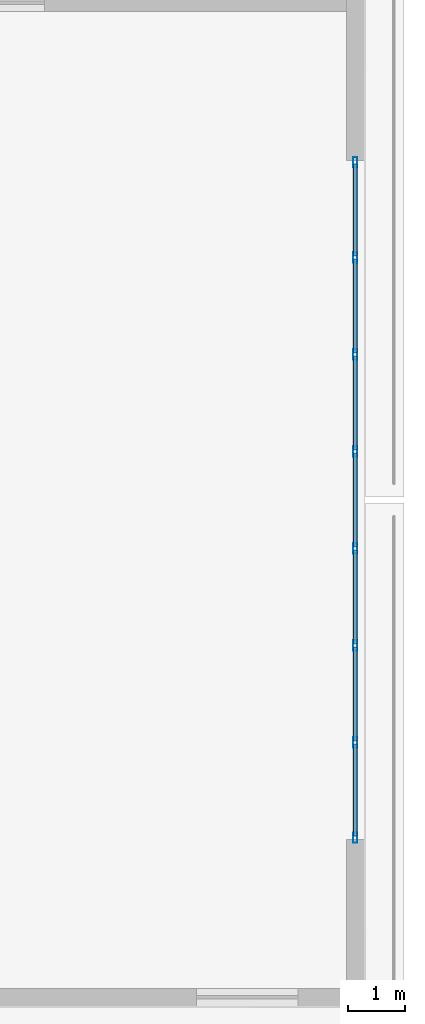
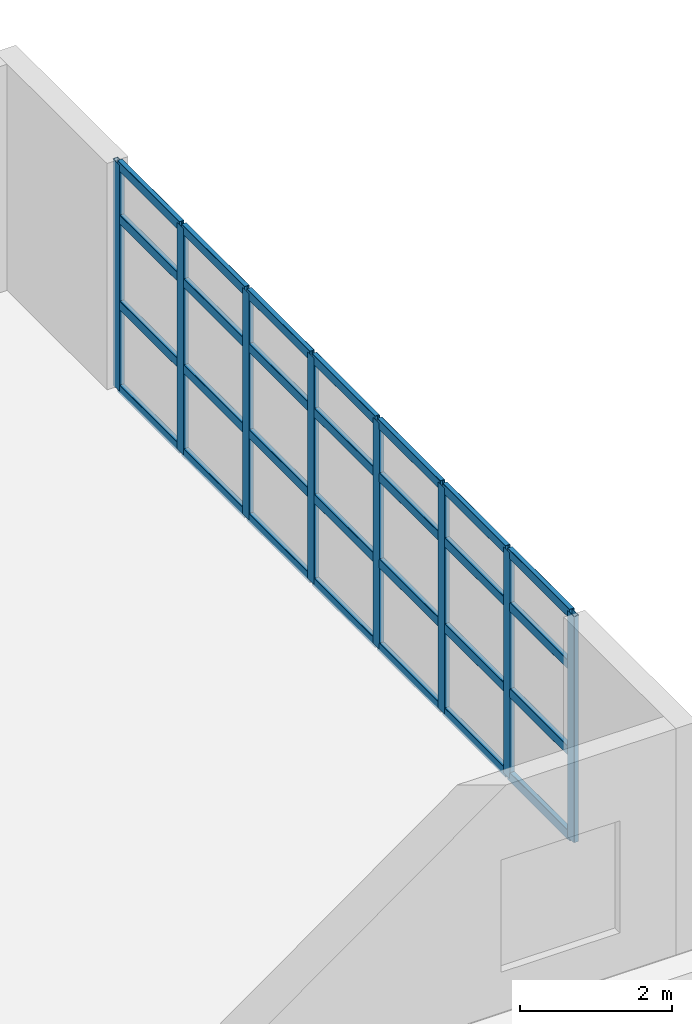
# One storey, part 8 of 23: 36 members, 1 element without a shape of its own.
"""IFC4 building model written with IfcOpenShell, lengths in metres."""

from ifc_helpers import new_model, si_unit, direction, frame, origin, origin_2d, place, context, subcontext, project, spatial, hollow_rectangle, extrude, material, layer, layer_set, material_profile, profile_set, type_object, element, aggregate, save


model = new_model("IFC4")

# Units and contexts
model_context = context("Model", 3, precision=1e-05, world=origin(), true_north=direction((0.0, 1.0)))
body_context = subcontext(model_context, "Body", "Model", "MODEL_VIEW")
ifc_project = project(units=[si_unit("LENGTHUNIT", "METRE"), si_unit("AREAUNIT", "SQUARE_METRE"), si_unit("VOLUMEUNIT", "CUBIC_METRE"), si_unit("PLANEANGLEUNIT", "RADIAN"), si_unit("MASSUNIT", "GRAM", prefix="KILO")], contexts=[model_context])

# Site, building, storey
site_placement = place(None, origin())
site = spatial("IfcSite", under=ifc_project, at=site_placement, CompositionType="ELEMENT")
building_placement = place(site_placement, origin())
building = spatial("IfcBuilding", under=site, at=building_placement, Name="Qingluan Cross Belvedere", CompositionType="ELEMENT")
storey_placement = place(building_placement, frame((0.0, 0.0, 5.39990234375)))
storey = spatial("IfcBuildingStorey", under=building, at=storey_placement, Name="L02", CompositionType="ELEMENT", Elevation=5.39990234375)

# Curtain wall, members
ifc_material_1 = material(Name="Thermally broken aluminium and Low-E glass", Category="aluminium")
ifc_layer = layer(ifc_material_1, 0.199951171875, Name="UnitisedCW_PodiumArrival")
ifc_layer_set = layer_set([ifc_layer], Name="Thermally broken aluminium and Low-E glass")
curtain_wall_type = type_object("IfcCurtainWallType", Name="UnitisedCW_PodiumArrival", PredefinedType="USERDEFINED", material=ifc_layer_set)
curtain_wall_placement = place(storey_placement, origin())
curtain_wall = element("IfcCurtainWall", 1, at=curtain_wall_placement, inside=storey, type_object=curtain_wall_type, Name="UnitisedCW_PodiumArrival run env:cw:L02:E", ObjectType="UNITISED CURTAIN WALL", PredefinedType="USERDEFINED")
ifc_material_2 = material(Name="Aluminium alloy 6063-T6", Category="aluminium")
ifc_material_profile_1 = material_profile(ifc_material_2, hollow_rectangle(XDim=0.074951171875, YDim=0.179931640625, WallThickness=0.00390625, InnerFilletRadius=0.00390625, OuterFilletRadius=0.008056640625, at=origin_2d()), Name="CWM180x75x4")
ifc_profile_set_1 = profile_set([ifc_material_profile_1], Name="Aluminium alloy 6063-T6")
member_type_1 = type_object("IfcMemberType", Name="CWMullion_180", PredefinedType="MULLION", material=ifc_profile_set_1)
member_1_placement = place(storey_placement, frame((38.340087890625, 5.969970703125, 0.0), z_axis=(0.0, 0.0, 1.0), x_axis=(1.0, 0.0, 0.0)))
member_1 = element("IfcMember", 2, at=member_1_placement, type_object=member_type_1, Name="CW-P1 mullion 1", PredefinedType="MULLION", context=body_context, shape_type="SweptSolid", body=[
    extrude(hollow_rectangle(XDim=0.074951171875, YDim=0.179931640625, WallThickness=0.00390625, InnerFilletRadius=0.00390625, OuterFilletRadius=0.008056640625, at=origin_2d()), origin(), (0.0, 0.0, 1.0), 3.630126953125),
])
member_2_placement = place(storey_placement, frame((38.340087890625, 4.28564453125, 0.0), z_axis=(0.0, 0.0, 1.0), x_axis=(1.0, 0.0, 0.0)))
member_2 = element("IfcMember", 3, at=member_2_placement, type_object=member_type_1, Name="CW-P1 mullion 2", PredefinedType="MULLION", context=body_context, shape_type="SweptSolid", body=[
    extrude(hollow_rectangle(XDim=0.074951171875, YDim=0.179931640625, WallThickness=0.00390625, InnerFilletRadius=0.00390625, OuterFilletRadius=0.008056640625, at=origin_2d()), origin(), (0.0, 0.0, 1.0), 3.630126953125),
])
member_3_placement = place(storey_placement, frame((38.340087890625, 2.571533203125, 0.0), z_axis=(0.0, 0.0, 1.0), x_axis=(1.0, 0.0, 0.0)))
member_3 = element("IfcMember", 4, at=member_3_placement, type_object=member_type_1, Name="CW-P1 mullion 3", PredefinedType="MULLION", context=body_context, shape_type="SweptSolid", body=[
    extrude(hollow_rectangle(XDim=0.074951171875, YDim=0.179931640625, WallThickness=0.00390625, InnerFilletRadius=0.00390625, OuterFilletRadius=0.008056640625, at=origin_2d()), origin(), (0.0, 0.0, 1.0), 3.630126953125),
])
member_4_placement = place(storey_placement, frame((38.340087890625, 0.857177734375, 0.0), z_axis=(0.0, 0.0, 1.0), x_axis=(1.0, 0.0, 0.0)))
member_4 = element("IfcMember", 5, at=member_4_placement, type_object=member_type_1, Name="CW-P1 mullion 4", PredefinedType="MULLION", context=body_context, shape_type="SweptSolid", body=[
    extrude(hollow_rectangle(XDim=0.074951171875, YDim=0.179931640625, WallThickness=0.00390625, InnerFilletRadius=0.00390625, OuterFilletRadius=0.008056640625, at=origin_2d()), origin(), (0.0, 0.0, 1.0), 3.630126953125),
])
member_5_placement = place(storey_placement, frame((38.340087890625, -0.857177734375, 0.0), z_axis=(0.0, 0.0, 1.0), x_axis=(1.0, 0.0, 0.0)))
member_5 = element("IfcMember", 6, at=member_5_placement, type_object=member_type_1, Name="CW-P1 mullion 5", PredefinedType="MULLION", context=body_context, shape_type="SweptSolid", body=[
    extrude(hollow_rectangle(XDim=0.074951171875, YDim=0.179931640625, WallThickness=0.00390625, InnerFilletRadius=0.00390625, OuterFilletRadius=0.008056640625, at=origin_2d()), origin(), (0.0, 0.0, 1.0), 3.630126953125),
])
member_6_placement = place(storey_placement, frame((38.340087890625, -2.571533203125, 0.0), z_axis=(0.0, 0.0, 1.0), x_axis=(1.0, 0.0, 0.0)))
member_6 = element("IfcMember", 7, at=member_6_placement, type_object=member_type_1, Name="CW-P1 mullion 6", PredefinedType="MULLION", context=body_context, shape_type="SweptSolid", body=[
    extrude(hollow_rectangle(XDim=0.074951171875, YDim=0.179931640625, WallThickness=0.00390625, InnerFilletRadius=0.00390625, OuterFilletRadius=0.008056640625, at=origin_2d()), origin(), (0.0, 0.0, 1.0), 3.630126953125),
])
member_7_placement = place(storey_placement, frame((38.340087890625, -4.28564453125, 0.0), z_axis=(0.0, 0.0, 1.0), x_axis=(1.0, 0.0, 0.0)))
member_7 = element("IfcMember", 8, at=member_7_placement, type_object=member_type_1, Name="CW-P1 mullion 7", PredefinedType="MULLION", context=body_context, shape_type="SweptSolid", body=[
    extrude(hollow_rectangle(XDim=0.074951171875, YDim=0.179931640625, WallThickness=0.00390625, InnerFilletRadius=0.00390625, OuterFilletRadius=0.008056640625, at=origin_2d()), origin(), (0.0, 0.0, 1.0), 3.630126953125),
])
member_8_placement = place(storey_placement, frame((38.340087890625, -5.969970703125, 0.0), z_axis=(0.0, 0.0, 1.0), x_axis=(1.0, 0.0, 0.0)))
member_8 = element("IfcMember", 9, at=member_8_placement, type_object=member_type_1, Name="CW-P1 mullion 8", PredefinedType="MULLION", context=body_context, shape_type="SweptSolid", body=[
    extrude(hollow_rectangle(XDim=0.074951171875, YDim=0.179931640625, WallThickness=0.00390625, InnerFilletRadius=0.00390625, OuterFilletRadius=0.008056640625, at=origin_2d()), origin(), (0.0, 0.0, 1.0), 3.630126953125),
])
ifc_material_3 = material(Name="Aluminium alloy 6063-T6", Category="aluminium")
ifc_material_profile_2 = material_profile(ifc_material_3, hollow_rectangle(XDim=0.074951171875, YDim=0.14990234375, WallThickness=0.00390625, InnerFilletRadius=0.00390625, OuterFilletRadius=0.008056640625, at=origin_2d()), Name="CWT150x75x4")
ifc_profile_set_2 = profile_set([ifc_material_profile_2], Name="Aluminium alloy 6063-T6")
member_type_2 = type_object("IfcMemberType", Name="CWTransom_150", PredefinedType="USERDEFINED", material=ifc_profile_set_2)
member_9_placement = place(storey_placement, frame((38.340087890625, 5.93994140625, 0.030029296875), z_axis=(0.0, -1.0, 0.0), x_axis=(1.0, 0.0, 0.0)))
member_9 = element("IfcMember", 10, at=member_9_placement, type_object=member_type_2, Name="CW-P1 transom 1.1", ObjectType="TRANSOM", PredefinedType="USERDEFINED", context=body_context, shape_type="SweptSolid", body=[
    extrude(hollow_rectangle(XDim=0.074951171875, YDim=0.14990234375, WallThickness=0.00390625, InnerFilletRadius=0.00390625, OuterFilletRadius=0.008056640625, at=origin_2d()), origin(), (0.0, 0.0, 1.0), 1.624267578125),
])
member_10_placement = place(storey_placement, frame((38.340087890625, 5.93994140625, 1.379150390625), z_axis=(0.0, -1.0, 0.0), x_axis=(1.0, 0.0, 0.0)))
member_10 = element("IfcMember", 11, at=member_10_placement, type_object=member_type_2, Name="CW-P1 transom 1.2", ObjectType="TRANSOM", PredefinedType="USERDEFINED", context=body_context, shape_type="SweptSolid", body=[
    extrude(hollow_rectangle(XDim=0.074951171875, YDim=0.14990234375, WallThickness=0.00390625, InnerFilletRadius=0.00390625, OuterFilletRadius=0.008056640625, at=origin_2d()), origin(), (0.0, 0.0, 1.0), 1.624267578125),
])
member_11_placement = place(storey_placement, frame((38.340087890625, 5.93994140625, 2.759033203125), z_axis=(0.0, -1.0, 0.0), x_axis=(1.0, 0.0, 0.0)))
member_11 = element("IfcMember", 12, at=member_11_placement, type_object=member_type_2, Name="CW-P1 transom 1.3", ObjectType="TRANSOM", PredefinedType="USERDEFINED", context=body_context, shape_type="SweptSolid", body=[
    extrude(hollow_rectangle(XDim=0.074951171875, YDim=0.14990234375, WallThickness=0.00390625, InnerFilletRadius=0.00390625, OuterFilletRadius=0.008056640625, at=origin_2d()), origin(), (0.0, 0.0, 1.0), 1.624267578125),
])
member_12_placement = place(storey_placement, frame((38.340087890625, 5.93994140625, 3.60009765625), z_axis=(0.0, -1.0, 0.0), x_axis=(1.0, 0.0, 0.0)))
member_12 = element("IfcMember", 13, at=member_12_placement, type_object=member_type_2, Name="CW-P1 transom 1.4", ObjectType="TRANSOM", PredefinedType="USERDEFINED", context=body_context, shape_type="SweptSolid", body=[
    extrude(hollow_rectangle(XDim=0.074951171875, YDim=0.14990234375, WallThickness=0.00390625, InnerFilletRadius=0.00390625, OuterFilletRadius=0.008056640625, at=origin_2d()), origin(), (0.0, 0.0, 1.0), 1.624267578125),
])
member_13_placement = place(storey_placement, frame((38.340087890625, 4.255615234375, 0.030029296875), z_axis=(0.0, -1.0, 0.0), x_axis=(1.0, 0.0, 0.0)))
member_13 = element("IfcMember", 14, at=member_13_placement, type_object=member_type_2, Name="CW-P1 transom 2.1", ObjectType="TRANSOM", PredefinedType="USERDEFINED", context=body_context, shape_type="SweptSolid", body=[
    extrude(hollow_rectangle(XDim=0.074951171875, YDim=0.14990234375, WallThickness=0.00390625, InnerFilletRadius=0.00390625, OuterFilletRadius=0.008056640625, at=origin_2d()), origin(), (0.0, 0.0, 1.0), 1.654296875),
])
member_14_placement = place(storey_placement, frame((38.340087890625, 4.255615234375, 1.379150390625), z_axis=(0.0, -1.0, 0.0), x_axis=(1.0, 0.0, 0.0)))
member_14 = element("IfcMember", 15, at=member_14_placement, type_object=member_type_2, Name="CW-P1 transom 2.2", ObjectType="TRANSOM", PredefinedType="USERDEFINED", context=body_context, shape_type="SweptSolid", body=[
    extrude(hollow_rectangle(XDim=0.074951171875, YDim=0.14990234375, WallThickness=0.00390625, InnerFilletRadius=0.00390625, OuterFilletRadius=0.008056640625, at=origin_2d()), origin(), (0.0, 0.0, 1.0), 1.654296875),
])
member_15_placement = place(storey_placement, frame((38.340087890625, 4.255615234375, 2.759033203125), z_axis=(0.0, -1.0, 0.0), x_axis=(1.0, 0.0, 0.0)))
member_15 = element("IfcMember", 16, at=member_15_placement, type_object=member_type_2, Name="CW-P1 transom 2.3", ObjectType="TRANSOM", PredefinedType="USERDEFINED", context=body_context, shape_type="SweptSolid", body=[
    extrude(hollow_rectangle(XDim=0.074951171875, YDim=0.14990234375, WallThickness=0.00390625, InnerFilletRadius=0.00390625, OuterFilletRadius=0.008056640625, at=origin_2d()), origin(), (0.0, 0.0, 1.0), 1.654296875),
])
member_16_placement = place(storey_placement, frame((38.340087890625, 4.255615234375, 3.60009765625), z_axis=(0.0, -1.0, 0.0), x_axis=(1.0, 0.0, 0.0)))
member_16 = element("IfcMember", 17, at=member_16_placement, type_object=member_type_2, Name="CW-P1 transom 2.4", ObjectType="TRANSOM", PredefinedType="USERDEFINED", context=body_context, shape_type="SweptSolid", body=[
    extrude(hollow_rectangle(XDim=0.074951171875, YDim=0.14990234375, WallThickness=0.00390625, InnerFilletRadius=0.00390625, OuterFilletRadius=0.008056640625, at=origin_2d()), origin(), (0.0, 0.0, 1.0), 1.654296875),
])
member_17_placement = place(storey_placement, frame((38.340087890625, 2.54150390625, 0.030029296875), z_axis=(0.0, -1.0, 0.0), x_axis=(1.0, 0.0, 0.0)))
member_17 = element("IfcMember", 18, at=member_17_placement, type_object=member_type_2, Name="CW-P1 transom 3.1", ObjectType="TRANSOM", PredefinedType="USERDEFINED", context=body_context, shape_type="SweptSolid", body=[
    extrude(hollow_rectangle(XDim=0.074951171875, YDim=0.14990234375, WallThickness=0.00390625, InnerFilletRadius=0.00390625, OuterFilletRadius=0.008056640625, at=origin_2d()), origin(), (0.0, 0.0, 1.0), 1.654296875),
])
member_18_placement = place(storey_placement, frame((38.340087890625, 2.54150390625, 1.379150390625), z_axis=(0.0, -1.0, 0.0), x_axis=(1.0, 0.0, 0.0)))
member_18 = element("IfcMember", 19, at=member_18_placement, type_object=member_type_2, Name="CW-P1 transom 3.2", ObjectType="TRANSOM", PredefinedType="USERDEFINED", context=body_context, shape_type="SweptSolid", body=[
    extrude(hollow_rectangle(XDim=0.074951171875, YDim=0.14990234375, WallThickness=0.00390625, InnerFilletRadius=0.00390625, OuterFilletRadius=0.008056640625, at=origin_2d()), origin(), (0.0, 0.0, 1.0), 1.654296875),
])
member_19_placement = place(storey_placement, frame((38.340087890625, 2.54150390625, 2.759033203125), z_axis=(0.0, -1.0, 0.0), x_axis=(1.0, 0.0, 0.0)))
member_19 = element("IfcMember", 20, at=member_19_placement, type_object=member_type_2, Name="CW-P1 transom 3.3", ObjectType="TRANSOM", PredefinedType="USERDEFINED", context=body_context, shape_type="SweptSolid", body=[
    extrude(hollow_rectangle(XDim=0.074951171875, YDim=0.14990234375, WallThickness=0.00390625, InnerFilletRadius=0.00390625, OuterFilletRadius=0.008056640625, at=origin_2d()), origin(), (0.0, 0.0, 1.0), 1.654296875),
])
member_20_placement = place(storey_placement, frame((38.340087890625, 2.54150390625, 3.60009765625), z_axis=(0.0, -1.0, 0.0), x_axis=(1.0, 0.0, 0.0)))
member_20 = element("IfcMember", 21, at=member_20_placement, type_object=member_type_2, Name="CW-P1 transom 3.4", ObjectType="TRANSOM", PredefinedType="USERDEFINED", context=body_context, shape_type="SweptSolid", body=[
    extrude(hollow_rectangle(XDim=0.074951171875, YDim=0.14990234375, WallThickness=0.00390625, InnerFilletRadius=0.00390625, OuterFilletRadius=0.008056640625, at=origin_2d()), origin(), (0.0, 0.0, 1.0), 1.654296875),
])
member_21_placement = place(storey_placement, frame((38.340087890625, 0.8271484375, 0.030029296875), z_axis=(0.0, -1.0, 0.0), x_axis=(1.0, 0.0, 0.0)))
member_21 = element("IfcMember", 22, at=member_21_placement, type_object=member_type_2, Name="CW-P1 transom 4.1", ObjectType="TRANSOM", PredefinedType="USERDEFINED", context=body_context, shape_type="SweptSolid", body=[
    extrude(hollow_rectangle(XDim=0.074951171875, YDim=0.14990234375, WallThickness=0.00390625, InnerFilletRadius=0.00390625, OuterFilletRadius=0.008056640625, at=origin_2d()), origin(), (0.0, 0.0, 1.0), 1.654296875),
])
member_22_placement = place(storey_placement, frame((38.340087890625, 0.8271484375, 1.379150390625), z_axis=(0.0, -1.0, 0.0), x_axis=(1.0, 0.0, 0.0)))
member_22 = element("IfcMember", 23, at=member_22_placement, type_object=member_type_2, Name="CW-P1 transom 4.2", ObjectType="TRANSOM", PredefinedType="USERDEFINED", context=body_context, shape_type="SweptSolid", body=[
    extrude(hollow_rectangle(XDim=0.074951171875, YDim=0.14990234375, WallThickness=0.00390625, InnerFilletRadius=0.00390625, OuterFilletRadius=0.008056640625, at=origin_2d()), origin(), (0.0, 0.0, 1.0), 1.654296875),
])
member_23_placement = place(storey_placement, frame((38.340087890625, 0.8271484375, 2.759033203125), z_axis=(0.0, -1.0, 0.0), x_axis=(1.0, 0.0, 0.0)))
member_23 = element("IfcMember", 24, at=member_23_placement, type_object=member_type_2, Name="CW-P1 transom 4.3", ObjectType="TRANSOM", PredefinedType="USERDEFINED", context=body_context, shape_type="SweptSolid", body=[
    extrude(hollow_rectangle(XDim=0.074951171875, YDim=0.14990234375, WallThickness=0.00390625, InnerFilletRadius=0.00390625, OuterFilletRadius=0.008056640625, at=origin_2d()), origin(), (0.0, 0.0, 1.0), 1.654296875),
])
member_24_placement = place(storey_placement, frame((38.340087890625, 0.8271484375, 3.60009765625), z_axis=(0.0, -1.0, 0.0), x_axis=(1.0, 0.0, 0.0)))
member_24 = element("IfcMember", 25, at=member_24_placement, type_object=member_type_2, Name="CW-P1 transom 4.4", ObjectType="TRANSOM", PredefinedType="USERDEFINED", context=body_context, shape_type="SweptSolid", body=[
    extrude(hollow_rectangle(XDim=0.074951171875, YDim=0.14990234375, WallThickness=0.00390625, InnerFilletRadius=0.00390625, OuterFilletRadius=0.008056640625, at=origin_2d()), origin(), (0.0, 0.0, 1.0), 1.654296875),
])
member_25_placement = place(storey_placement, frame((38.340087890625, -0.88720703125, 0.030029296875), z_axis=(0.0, -1.0, 0.0), x_axis=(1.0, 0.0, 0.0)))
member_25 = element("IfcMember", 26, at=member_25_placement, type_object=member_type_2, Name="CW-P1 transom 5.1", ObjectType="TRANSOM", PredefinedType="USERDEFINED", context=body_context, shape_type="SweptSolid", body=[
    extrude(hollow_rectangle(XDim=0.074951171875, YDim=0.14990234375, WallThickness=0.00390625, InnerFilletRadius=0.00390625, OuterFilletRadius=0.008056640625, at=origin_2d()), origin(), (0.0, 0.0, 1.0), 1.654296875),
])
member_26_placement = place(storey_placement, frame((38.340087890625, -0.88720703125, 1.379150390625), z_axis=(0.0, -1.0, 0.0), x_axis=(1.0, 0.0, 0.0)))
member_26 = element("IfcMember", 27, at=member_26_placement, type_object=member_type_2, Name="CW-P1 transom 5.2", ObjectType="TRANSOM", PredefinedType="USERDEFINED", context=body_context, shape_type="SweptSolid", body=[
    extrude(hollow_rectangle(XDim=0.074951171875, YDim=0.14990234375, WallThickness=0.00390625, InnerFilletRadius=0.00390625, OuterFilletRadius=0.008056640625, at=origin_2d()), origin(), (0.0, 0.0, 1.0), 1.654296875),
])
member_27_placement = place(storey_placement, frame((38.340087890625, -0.88720703125, 2.759033203125), z_axis=(0.0, -1.0, 0.0), x_axis=(1.0, 0.0, 0.0)))
member_27 = element("IfcMember", 28, at=member_27_placement, type_object=member_type_2, Name="CW-P1 transom 5.3", ObjectType="TRANSOM", PredefinedType="USERDEFINED", context=body_context, shape_type="SweptSolid", body=[
    extrude(hollow_rectangle(XDim=0.074951171875, YDim=0.14990234375, WallThickness=0.00390625, InnerFilletRadius=0.00390625, OuterFilletRadius=0.008056640625, at=origin_2d()), origin(), (0.0, 0.0, 1.0), 1.654296875),
])
member_28_placement = place(storey_placement, frame((38.340087890625, -0.88720703125, 3.60009765625), z_axis=(0.0, -1.0, 0.0), x_axis=(1.0, 0.0, 0.0)))
member_28 = element("IfcMember", 29, at=member_28_placement, type_object=member_type_2, Name="CW-P1 transom 5.4", ObjectType="TRANSOM", PredefinedType="USERDEFINED", context=body_context, shape_type="SweptSolid", body=[
    extrude(hollow_rectangle(XDim=0.074951171875, YDim=0.14990234375, WallThickness=0.00390625, InnerFilletRadius=0.00390625, OuterFilletRadius=0.008056640625, at=origin_2d()), origin(), (0.0, 0.0, 1.0), 1.654296875),
])
member_29_placement = place(storey_placement, frame((38.340087890625, -2.601318359375, 0.030029296875), z_axis=(0.0, -1.0, 0.0), x_axis=(1.0, 0.0, 0.0)))
member_29 = element("IfcMember", 30, at=member_29_placement, type_object=member_type_2, Name="CW-P1 transom 6.1", ObjectType="TRANSOM", PredefinedType="USERDEFINED", context=body_context, shape_type="SweptSolid", body=[
    extrude(hollow_rectangle(XDim=0.074951171875, YDim=0.14990234375, WallThickness=0.00390625, InnerFilletRadius=0.00390625, OuterFilletRadius=0.008056640625, at=origin_2d()), origin(), (0.0, 0.0, 1.0), 1.654296875),
])
member_30_placement = place(storey_placement, frame((38.340087890625, -2.601318359375, 1.379150390625), z_axis=(0.0, -1.0, 0.0), x_axis=(1.0, 0.0, 0.0)))
member_30 = element("IfcMember", 31, at=member_30_placement, type_object=member_type_2, Name="CW-P1 transom 6.2", ObjectType="TRANSOM", PredefinedType="USERDEFINED", context=body_context, shape_type="SweptSolid", body=[
    extrude(hollow_rectangle(XDim=0.074951171875, YDim=0.14990234375, WallThickness=0.00390625, InnerFilletRadius=0.00390625, OuterFilletRadius=0.008056640625, at=origin_2d()), origin(), (0.0, 0.0, 1.0), 1.654296875),
])
member_31_placement = place(storey_placement, frame((38.340087890625, -2.601318359375, 2.759033203125), z_axis=(0.0, -1.0, 0.0), x_axis=(1.0, 0.0, 0.0)))
member_31 = element("IfcMember", 32, at=member_31_placement, type_object=member_type_2, Name="CW-P1 transom 6.3", ObjectType="TRANSOM", PredefinedType="USERDEFINED", context=body_context, shape_type="SweptSolid", body=[
    extrude(hollow_rectangle(XDim=0.074951171875, YDim=0.14990234375, WallThickness=0.00390625, InnerFilletRadius=0.00390625, OuterFilletRadius=0.008056640625, at=origin_2d()), origin(), (0.0, 0.0, 1.0), 1.654296875),
])
member_32_placement = place(storey_placement, frame((38.340087890625, -2.601318359375, 3.60009765625), z_axis=(0.0, -1.0, 0.0), x_axis=(1.0, 0.0, 0.0)))
member_32 = element("IfcMember", 33, at=member_32_placement, type_object=member_type_2, Name="CW-P1 transom 6.4", ObjectType="TRANSOM", PredefinedType="USERDEFINED", context=body_context, shape_type="SweptSolid", body=[
    extrude(hollow_rectangle(XDim=0.074951171875, YDim=0.14990234375, WallThickness=0.00390625, InnerFilletRadius=0.00390625, OuterFilletRadius=0.008056640625, at=origin_2d()), origin(), (0.0, 0.0, 1.0), 1.654296875),
])
member_33_placement = place(storey_placement, frame((38.340087890625, -4.315673828125, 0.030029296875), z_axis=(0.0, -1.0, 0.0), x_axis=(1.0, 0.0, 0.0)))
member_33 = element("IfcMember", 34, at=member_33_placement, type_object=member_type_2, Name="CW-P1 transom 7.1", ObjectType="TRANSOM", PredefinedType="USERDEFINED", context=body_context, shape_type="SweptSolid", body=[
    extrude(hollow_rectangle(XDim=0.074951171875, YDim=0.14990234375, WallThickness=0.00390625, InnerFilletRadius=0.00390625, OuterFilletRadius=0.008056640625, at=origin_2d()), origin(), (0.0, 0.0, 1.0), 1.624267578125),
])
member_34_placement = place(storey_placement, frame((38.340087890625, -4.315673828125, 1.379150390625), z_axis=(0.0, -1.0, 0.0), x_axis=(1.0, 0.0, 0.0)))
member_34 = element("IfcMember", 35, at=member_34_placement, type_object=member_type_2, Name="CW-P1 transom 7.2", ObjectType="TRANSOM", PredefinedType="USERDEFINED", context=body_context, shape_type="SweptSolid", body=[
    extrude(hollow_rectangle(XDim=0.074951171875, YDim=0.14990234375, WallThickness=0.00390625, InnerFilletRadius=0.00390625, OuterFilletRadius=0.008056640625, at=origin_2d()), origin(), (0.0, 0.0, 1.0), 1.624267578125),
])
member_35_placement = place(storey_placement, frame((38.340087890625, -4.315673828125, 2.759033203125), z_axis=(0.0, -1.0, 0.0), x_axis=(1.0, 0.0, 0.0)))
member_35 = element("IfcMember", 36, at=member_35_placement, type_object=member_type_2, Name="CW-P1 transom 7.3", ObjectType="TRANSOM", PredefinedType="USERDEFINED", context=body_context, shape_type="SweptSolid", body=[
    extrude(hollow_rectangle(XDim=0.074951171875, YDim=0.14990234375, WallThickness=0.00390625, InnerFilletRadius=0.00390625, OuterFilletRadius=0.008056640625, at=origin_2d()), origin(), (0.0, 0.0, 1.0), 1.624267578125),
])
member_36_placement = place(storey_placement, frame((38.340087890625, -4.315673828125, 3.60009765625), z_axis=(0.0, -1.0, 0.0), x_axis=(1.0, 0.0, 0.0)))
member_36 = element("IfcMember", 37, at=member_36_placement, type_object=member_type_2, Name="CW-P1 transom 7.4", ObjectType="TRANSOM", PredefinedType="USERDEFINED", context=body_context, shape_type="SweptSolid", body=[
    extrude(hollow_rectangle(XDim=0.074951171875, YDim=0.14990234375, WallThickness=0.00390625, InnerFilletRadius=0.00390625, OuterFilletRadius=0.008056640625, at=origin_2d()), origin(), (0.0, 0.0, 1.0), 1.624267578125),
])
aggregate(curtain_wall, [member_1, member_2, member_3, member_4, member_5, member_6, member_7, member_8, member_9, member_10, member_11, member_12, member_13, member_14, member_15, member_16, member_17, member_18, member_19, member_20, member_21, member_22, member_23, member_24, member_25, member_26, member_27, member_28, member_29, member_30, member_31, member_32, member_33, member_34, member_35, member_36])

save(model, "model.ifc")
